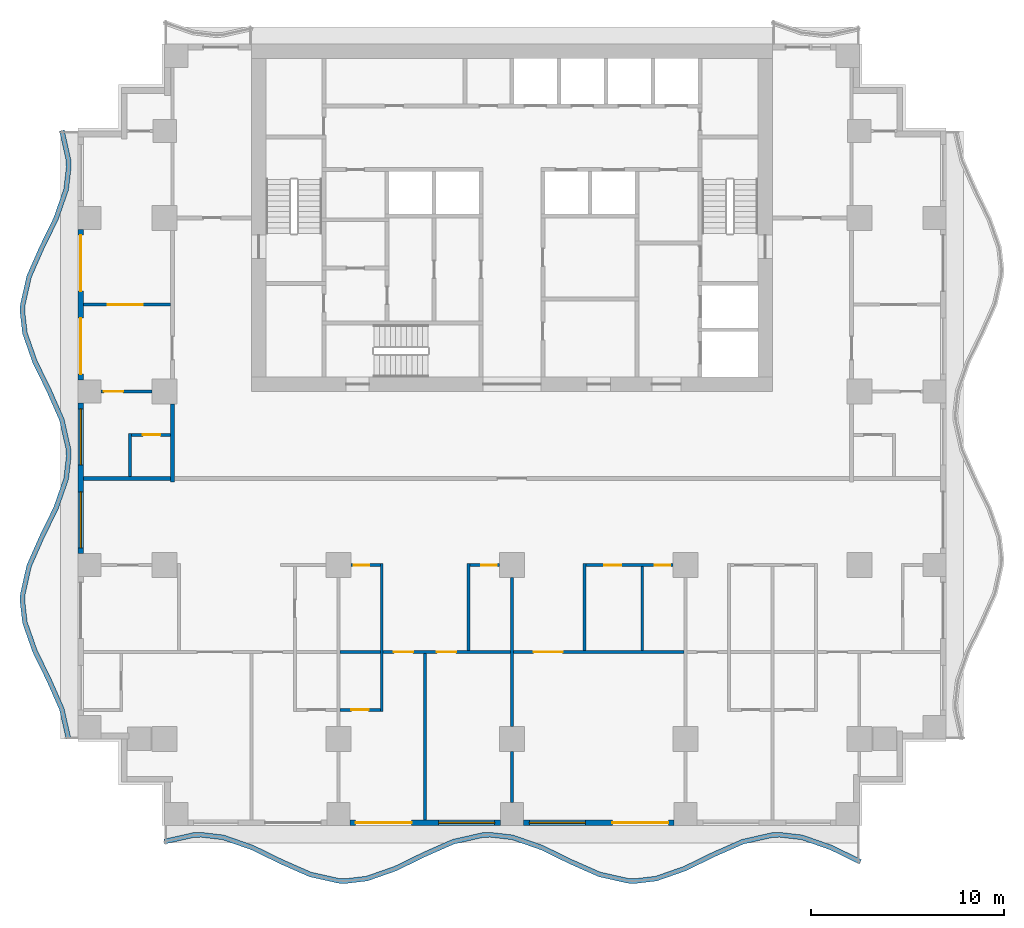
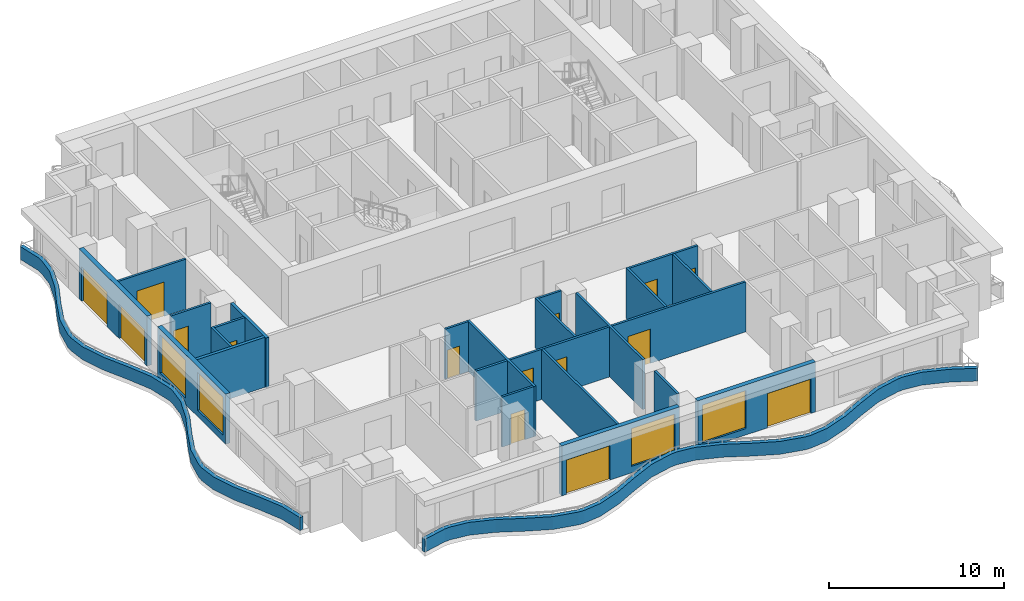
# One storey, part 2 of 10: 26 walls, 15 doors, 4 windows, 19 openings.
"""IFC4 building model written with IfcOpenShell, lengths in metres."""

from ifc_helpers import new_model, si_unit, direction, frame, frame_2d, origin, place, context, subcontext, project, spatial, polyline, rectangle, outline, extrude, material, layer, layer_set, type_object, element, fill, save


model = new_model("IFC4")

# Units and contexts
model_context = context("Model", 3, precision=1e-05, world=origin(), true_north=direction((0.0, 1.0)))
body_context = subcontext(model_context, "Body", "Model", "MODEL_VIEW")
ifc_project = project(units=[si_unit("LENGTHUNIT", "METRE"), si_unit("AREAUNIT", "SQUARE_METRE"), si_unit("VOLUMEUNIT", "CUBIC_METRE"), si_unit("PLANEANGLEUNIT", "RADIAN"), si_unit("MASSUNIT", "GRAM", prefix="KILO")], contexts=[model_context])

# Site, building, storey
site_placement = place(None, origin())
site = spatial("IfcSite", under=ifc_project, at=site_placement, CompositionType="ELEMENT")
building_placement = place(site_placement, origin())
building = spatial("IfcBuilding", under=site, at=building_placement, Name="Orbiselva Terraces", CompositionType="ELEMENT")
storey_placement = place(building_placement, frame((0.0, 0.0, 132.6)))
storey = spatial("IfcBuildingStorey", under=building, at=storey_placement, Name="L33", CompositionType="ELEMENT", Elevation=132.6)

# Walls
ifc_material_1 = material(Name="Concrete C40/50", Category="concrete")
ifc_layer_1 = layer(ifc_material_1, 0.25)
ifc_layer_set_1 = layer_set([ifc_layer_1], Name="Concrete C40/50")
wall_type_1 = type_object("IfcWallType", Name="ENV-PLANTER-250x900", PredefinedType="USERDEFINED", material=ifc_layer_set_1)
wall_1_placement = place(storey_placement, origin())
element("IfcWall", 1, at=wall_1_placement, inside=storey, type_object=wall_type_1, Name="Balcony planter L33 S", ObjectType="PLANTER", PredefinedType="USERDEFINED", context=body_context, shape_type="SweptSolid", body=[
    extrude(outline(polyline([(-18.0, -18.951472), (-16.5, -18.614774), (-16.125, -18.6), (-15.0, -18.730792), (-13.5, -19.255211), (-12.0, -19.987721), (-10.5, -20.648528), (-9.0, -20.985226), (-8.625, -21.0), (-7.5, -20.869208), (-6.0, -20.344789), (-4.5, -19.612279), (-3.0, -18.951472), (-1.5, -18.614774), (-1.125, -18.6), (0.0, -18.730792), (1.5, -19.255211), (3.0, -19.987721), (4.5, -20.648528), (6.0, -20.985226), (6.375, -21.0), (7.5, -20.869208), (9.0, -20.344789), (10.5, -19.612279), (12.0, -18.951472), (13.5, -18.614774), (13.875, -18.6), (15.0, -18.730792), (16.5, -19.255211), (18.0, -19.987721), (18.109703, -19.763076), (16.59644, -19.024089), (15.056371, -18.485662), (13.884572, -18.349429), (13.467435, -18.365863), (11.921492, -18.712874), (10.394714, -19.385477), (8.90356, -20.113667), (7.443629, -20.624078), (6.365428, -20.749429), (6.032565, -20.736315), (4.578508, -20.40993), (3.105286, -19.760919), (1.59644, -19.024089), (0.056371, -18.485662), (-1.115428, -18.349429), (-1.532565, -18.365863), (-3.078508, -18.712874), (-4.605286, -19.385477), (-6.09644, -20.113667), (-7.556371, -20.624078), (-8.634572, -20.749429), (-8.967435, -20.736315), (-10.421492, -20.40993), (-11.894714, -19.760919), (-13.40356, -19.024089), (-14.943629, -18.485662), (-16.115428, -18.349429), (-16.532565, -18.365863), (-18.054754, -18.707542), (-18.0, -18.951472)])), origin(), (0.0, 0.0, 1.0), 0.9),
])
wall_2_placement = place(storey_placement, origin())
element("IfcWall", 2, at=wall_2_placement, inside=storey, type_object=wall_type_1, Name="Balcony planter L33 W", ObjectType="PLANTER", PredefinedType="USERDEFINED", context=body_context, shape_type="SweptSolid", body=[
    extrude(outline(polyline([(-23.451472, 18.0), (-23.114774, 16.5), (-23.1, 16.125), (-23.230792, 15.0), (-23.755211, 13.5), (-24.487721, 12.0), (-25.148528, 10.5), (-25.485226, 9.0), (-25.5, 8.625), (-25.369208, 7.5), (-24.844789, 6.0), (-24.112279, 4.5), (-23.451472, 3.0), (-23.114774, 1.5), (-23.1, 1.125), (-23.230792, 0.0), (-23.755211, -1.5), (-24.487721, -3.0), (-25.148528, -4.5), (-25.485226, -6.0), (-25.5, -6.375), (-25.369208, -7.5), (-24.844789, -9.0), (-24.112279, -10.5), (-23.451472, -12.0), (-23.114774, -13.5), (-22.870844, -13.445246), (-23.212874, -11.921492), (-23.885477, -10.394714), (-24.613667, -8.90356), (-25.124078, -7.443629), (-25.249429, -6.365428), (-25.236315, -6.032565), (-24.90993, -4.578508), (-24.260919, -3.105286), (-23.524089, -1.59644), (-22.985662, -0.056371), (-22.849429, 1.115428), (-22.865863, 1.532565), (-23.212874, 3.078508), (-23.885477, 4.605286), (-24.613667, 6.09644), (-25.124078, 7.556371), (-25.249429, 8.634572), (-25.236315, 8.967435), (-24.90993, 10.421492), (-24.260919, 11.894714), (-23.524089, 13.40356), (-22.985662, 14.943629), (-22.849429, 16.115428), (-22.865863, 16.532565), (-23.207542, 18.054754), (-23.451472, 18.0)])), origin(), (0.0, 0.0, 1.0), 0.9),
])

# Wall, openings, door, window
ifc_material_2 = material(Name="Terracotta cladding on masonry backing", Category="masonry")
ifc_layer_2 = layer(ifc_material_2, 0.3)
ifc_layer_set_2 = layer_set([ifc_layer_2], Name="Terracotta cladding on masonry backing")
wall_type_2 = type_object("IfcWallType", Name="ENV-WALL-TERRACOTTA-300", PredefinedType="SOLIDWALL", material=ifc_layer_set_2)
wall_3_placement = place(storey_placement, frame((-0.6, -17.85, 0.0), z_axis=(0.0, 0.0, 1.0), x_axis=(-1.0, 0.0, 0.0)))
wall_3 = element("IfcWall", 3, at=wall_3_placement, inside=storey, type_object=wall_type_2, Name="Facade wall L33 S", PredefinedType="SOLIDWALL", context=body_context, shape_type="SweptSolid", body=[
    extrude(rectangle(XDim=7.8, YDim=0.3, at=frame_2d((3.9, 0.0))), origin(), (0.0, 0.0, 1.0), 3.5),
])
opening_1_placement = place(wall_3_placement, frame((4.6, 0.0, 0.0)))
opening_1 = element("IfcOpeningElement", 4, at=opening_1_placement, cuts=wall_3, Name="Opening Z3-A-E01", PredefinedType="OPENING", context=body_context, shape_type="SweptSolid", body=[
    extrude(rectangle(XDim=2.9, YDim=2.4, at=frame_2d((1.45, 1.2))), frame((0.0, 0.16, 0.0), z_axis=(0.0, -1.0, 0.0), x_axis=(1.0, 0.0, 0.0)), (0.0, 0.0, 1.0), 0.32),
])
opening_2_placement = place(wall_3_placement, frame((0.3, 0.0, 0.45)))
opening_2 = element("IfcOpeningElement", 5, at=opening_2_placement, cuts=wall_3, Name="Opening WN8", PredefinedType="OPENING", context=body_context, shape_type="SweptSolid", body=[
    extrude(rectangle(XDim=2.9, YDim=2.65, at=frame_2d((1.45, 1.325))), frame((0.0, 0.16, 0.0), z_axis=(0.0, -1.0, 0.0), x_axis=(1.0, 0.0, 0.0)), (0.0, 0.0, 1.0), 0.32),
])
ifc_material_3 = material(Name="Clear low-e glazing in aluminium frame", Category="aluminium")
door_type_1 = type_object("IfcDoorType", Name="BALCONY DOOR 2900 X 2400", OperationType="DOUBLE_DOOR_SLIDING", PredefinedType="DOOR", material=ifc_material_3)
door_1_placement = place(opening_1_placement, origin())
door_1 = element("IfcDoor", 6, at=door_1_placement, inside=storey, type_object=door_type_1, Name="Z3-A-E01", OperationType="SINGLE_SWING_LEFT", OverallHeight=2.4, OverallWidth=2.9, PredefinedType="DOOR", context=body_context, shape_type="SweptSolid", body=[
    extrude(rectangle(XDim=2.9, YDim=2.4, at=frame_2d((1.45, 1.2))), frame((0.0, 0.025, 0.0), z_axis=(0.0, -1.0, 0.0), x_axis=(1.0, 0.0, 0.0)), (0.0, 0.0, 1.0), 0.05),
])
fill(opening_1, door_1)
window_type = type_object("IfcWindowType", Name="WINDOW 2900 X 2650 S450", PartitioningType="TRIPLE_PANEL_VERTICAL", PredefinedType="WINDOW", material=ifc_material_3)
window_1_placement = place(opening_2_placement, origin())
window_1 = element("IfcWindow", 7, at=window_1_placement, inside=storey, type_object=window_type, Name="Window L33 S", OverallHeight=2.65, OverallWidth=2.9, PartitioningType="SINGLE_PANEL", PredefinedType="WINDOW", context=body_context, shape_type="SweptSolid", body=[
    extrude(rectangle(XDim=2.9, YDim=2.65, at=frame_2d((1.45, 1.325))), frame((0.0, 0.03, 0.0), z_axis=(0.0, -1.0, 0.0), x_axis=(1.0, 0.0, 0.0)), (0.0, 0.0, 1.0), 0.06),
])
fill(opening_2, window_1)

wall_4_placement = place(storey_placement, frame((8.4, -17.85, 0.0), z_axis=(0.0, 0.0, 1.0), x_axis=(-1.0, 0.0, 0.0)))
wall_4 = element("IfcWall", 8, at=wall_4_placement, inside=storey, type_object=wall_type_2, Name="Facade wall L33 S", PredefinedType="SOLIDWALL", context=body_context, shape_type="SweptSolid", body=[
    extrude(rectangle(XDim=7.8, YDim=0.3, at=frame_2d((3.9, 0.0))), origin(), (0.0, 0.0, 1.0), 3.5),
])
opening_3_placement = place(wall_4_placement, frame((4.6, 0.0, 0.45)))
opening_3 = element("IfcOpeningElement", 9, at=opening_3_placement, cuts=wall_4, Name="Opening WN8", PredefinedType="OPENING", context=body_context, shape_type="SweptSolid", body=[
    extrude(rectangle(XDim=2.9, YDim=2.65, at=frame_2d((1.45, 1.325))), frame((0.0, 0.16, 0.0), z_axis=(0.0, -1.0, 0.0), x_axis=(1.0, 0.0, 0.0)), (0.0, 0.0, 1.0), 0.32),
])
opening_4_placement = place(wall_4_placement, frame((0.3, 0.0, 0.0)))
opening_4 = element("IfcOpeningElement", 10, at=opening_4_placement, cuts=wall_4, Name="Opening Z3-A-E12", PredefinedType="OPENING", context=body_context, shape_type="SweptSolid", body=[
    extrude(rectangle(XDim=2.9, YDim=2.4, at=frame_2d((1.45, 1.2))), frame((0.0, 0.16, 0.0), z_axis=(0.0, -1.0, 0.0), x_axis=(1.0, 0.0, 0.0)), (0.0, 0.0, 1.0), 0.32),
])
door_2_placement = place(opening_4_placement, origin())
door_2 = element("IfcDoor", 11, at=door_2_placement, inside=storey, type_object=door_type_1, Name="Z3-A-E12", OperationType="SINGLE_SWING_LEFT", OverallHeight=2.4, OverallWidth=2.9, PredefinedType="DOOR", context=body_context, shape_type="SweptSolid", body=[
    extrude(rectangle(XDim=2.9, YDim=2.4, at=frame_2d((1.45, 1.2))), frame((0.0, 0.025, 0.0), z_axis=(0.0, -1.0, 0.0), x_axis=(1.0, 0.0, 0.0)), (0.0, 0.0, 1.0), 0.05),
])
fill(opening_4, door_2)
window_2_placement = place(opening_3_placement, origin())
window_2 = element("IfcWindow", 12, at=window_2_placement, inside=storey, type_object=window_type, Name="Window L33 S", OverallHeight=2.65, OverallWidth=2.9, PartitioningType="SINGLE_PANEL", PredefinedType="WINDOW", context=body_context, shape_type="SweptSolid", body=[
    extrude(rectangle(XDim=2.9, YDim=2.65, at=frame_2d((1.45, 1.325))), frame((0.0, 0.03, 0.0), z_axis=(0.0, -1.0, 0.0), x_axis=(1.0, 0.0, 0.0)), (0.0, 0.0, 1.0), 0.06),
])
fill(opening_3, window_2)

# Wall, openings, doors
wall_5_placement = place(storey_placement, frame((-22.35, 5.1, 0.0), z_axis=(0.0, 0.0, 1.0), x_axis=(0.0, 1.0, 0.0)))
wall_5 = element("IfcWall", 13, at=wall_5_placement, inside=storey, type_object=wall_type_2, Name="Facade wall L33 W", PredefinedType="SOLIDWALL", context=body_context, shape_type="SweptSolid", body=[
    extrude(rectangle(XDim=7.8, YDim=0.3, at=frame_2d((3.9, 0.0))), origin(), (0.0, 0.0, 1.0), 3.5),
])
opening_5_placement = place(wall_5_placement, frame((4.6, 0.0, 0.0)))
opening_5 = element("IfcOpeningElement", 14, at=opening_5_placement, cuts=wall_5, Name="Opening Z3-A-E20", PredefinedType="OPENING", context=body_context, shape_type="SweptSolid", body=[
    extrude(rectangle(XDim=2.9, YDim=2.4, at=frame_2d((1.45, 1.2))), frame((0.0, 0.16, 0.0), z_axis=(0.0, -1.0, 0.0), x_axis=(1.0, 0.0, 0.0)), (0.0, 0.0, 1.0), 0.32),
])
opening_6_placement = place(wall_5_placement, frame((0.3, 0.0, 0.0)))
opening_6 = element("IfcOpeningElement", 15, at=opening_6_placement, cuts=wall_5, Name="Opening Z3-A-E09", PredefinedType="OPENING", context=body_context, shape_type="SweptSolid", body=[
    extrude(rectangle(XDim=2.9, YDim=2.4, at=frame_2d((1.45, 1.2))), frame((0.0, 0.16, 0.0), z_axis=(0.0, -1.0, 0.0), x_axis=(1.0, 0.0, 0.0)), (0.0, 0.0, 1.0), 0.32),
])
door_3_placement = place(opening_5_placement, origin())
door_3 = element("IfcDoor", 16, at=door_3_placement, inside=storey, type_object=door_type_1, Name="Z3-A-E20", OperationType="SINGLE_SWING_LEFT", OverallHeight=2.4, OverallWidth=2.9, PredefinedType="DOOR", context=body_context, shape_type="SweptSolid", body=[
    extrude(rectangle(XDim=2.9, YDim=2.4, at=frame_2d((1.45, 1.2))), frame((0.0, 0.025, 0.0), z_axis=(0.0, -1.0, 0.0), x_axis=(1.0, 0.0, 0.0)), (0.0, 0.0, 1.0), 0.05),
])
fill(opening_5, door_3)
door_4_placement = place(opening_6_placement, origin())
door_4 = element("IfcDoor", 17, at=door_4_placement, inside=storey, type_object=door_type_1, Name="Z3-A-E09", OperationType="SINGLE_SWING_LEFT", OverallHeight=2.4, OverallWidth=2.9, PredefinedType="DOOR", context=body_context, shape_type="SweptSolid", body=[
    extrude(rectangle(XDim=2.9, YDim=2.4, at=frame_2d((1.45, 1.2))), frame((0.0, 0.025, 0.0), z_axis=(0.0, -1.0, 0.0), x_axis=(1.0, 0.0, 0.0)), (0.0, 0.0, 1.0), 0.05),
])
fill(opening_6, door_4)

# Wall, openings, windows
wall_6_placement = place(storey_placement, frame((-22.35, -3.9, 0.0), z_axis=(0.0, 0.0, 1.0), x_axis=(0.0, 1.0, 0.0)))
wall_6 = element("IfcWall", 18, at=wall_6_placement, inside=storey, type_object=wall_type_2, Name="Facade wall L33 W", PredefinedType="SOLIDWALL", context=body_context, shape_type="SweptSolid", body=[
    extrude(rectangle(XDim=7.8, YDim=0.3, at=frame_2d((3.9, 0.0))), origin(), (0.0, 0.0, 1.0), 3.5),
])
opening_7_placement = place(wall_6_placement, frame((4.6, 0.0, 0.45)))
opening_7 = element("IfcOpeningElement", 19, at=opening_7_placement, cuts=wall_6, Name="Opening WN8", PredefinedType="OPENING", context=body_context, shape_type="SweptSolid", body=[
    extrude(rectangle(XDim=2.9, YDim=2.65, at=frame_2d((1.45, 1.325))), frame((0.0, 0.16, 0.0), z_axis=(0.0, -1.0, 0.0), x_axis=(1.0, 0.0, 0.0)), (0.0, 0.0, 1.0), 0.32),
])
opening_8_placement = place(wall_6_placement, frame((0.3, 0.0, 0.45)))
opening_8 = element("IfcOpeningElement", 20, at=opening_8_placement, cuts=wall_6, Name="Opening WN8", PredefinedType="OPENING", context=body_context, shape_type="SweptSolid", body=[
    extrude(rectangle(XDim=2.9, YDim=2.65, at=frame_2d((1.45, 1.325))), frame((0.0, 0.16, 0.0), z_axis=(0.0, -1.0, 0.0), x_axis=(1.0, 0.0, 0.0)), (0.0, 0.0, 1.0), 0.32),
])
window_3_placement = place(opening_7_placement, origin())
window_3 = element("IfcWindow", 21, at=window_3_placement, inside=storey, type_object=window_type, Name="Window L33 W", OverallHeight=2.65, OverallWidth=2.9, PartitioningType="SINGLE_PANEL", PredefinedType="WINDOW", context=body_context, shape_type="SweptSolid", body=[
    extrude(rectangle(XDim=2.9, YDim=2.65, at=frame_2d((1.45, 1.325))), frame((0.0, 0.03, 0.0), z_axis=(0.0, -1.0, 0.0), x_axis=(1.0, 0.0, 0.0)), (0.0, 0.0, 1.0), 0.06),
])
fill(opening_7, window_3)
window_4_placement = place(opening_8_placement, origin())
window_4 = element("IfcWindow", 22, at=window_4_placement, inside=storey, type_object=window_type, Name="Window L33 W", OverallHeight=2.65, OverallWidth=2.9, PartitioningType="SINGLE_PANEL", PredefinedType="WINDOW", context=body_context, shape_type="SweptSolid", body=[
    extrude(rectangle(XDim=2.9, YDim=2.65, at=frame_2d((1.45, 1.325))), frame((0.0, 0.03, 0.0), z_axis=(0.0, -1.0, 0.0), x_axis=(1.0, 0.0, 0.0)), (0.0, 0.0, 1.0), 0.06),
])
fill(opening_8, window_4)

# Wall
ifc_material_4 = material(Name="Plasterboard on steel stud partition", Category="steel")
ifc_layer_3 = layer(ifc_material_4, 0.2)
ifc_layer_set_3 = layer_set([ifc_layer_3], Name="Plasterboard on steel stud partition")
wall_type_3 = type_object("IfcWallType", Name="UNIT-ENTRANCE-WALL-200", PredefinedType="PARTITIONING", material=ifc_layer_set_3)
wall_7_placement = place(storey_placement, frame((-17.6, -0.2, 0.0), z_axis=(0.0, 0.0, 1.0), x_axis=(0.0, 1.0, 0.0)))
element("IfcWall", 23, at=wall_7_placement, inside=storey, type_object=wall_type_3, Name="PARTITION L33-037", PredefinedType="PARTITIONING", context=body_context, shape_type="SweptSolid", body=[
    extrude(rectangle(XDim=4.05, YDim=0.2, at=frame_2d((2.025, 0.0))), origin(), (0.0, 0.0, 1.0), 3.5),
])

# Wall, opening, door
ifc_layer_4 = layer(ifc_material_4, 0.15)
ifc_layer_set_4 = layer_set([ifc_layer_4], Name="Plasterboard on steel stud partition")
wall_type_4 = type_object("IfcWallType", Name="UNIT-PARTITION-150", PredefinedType="PARTITIONING", material=ifc_layer_set_4)
wall_8_placement = place(storey_placement, frame((-8.925, -12.0, 0.0), z_axis=(0.0, 0.0, 1.0), x_axis=(1.0, 0.0, 0.0)))
wall_8 = element("IfcWall", 24, at=wall_8_placement, inside=storey, type_object=wall_type_4, Name="PARTITION L33-003", PredefinedType="PARTITIONING", context=body_context, shape_type="SweptSolid", body=[
    extrude(rectangle(XDim=2.1, YDim=0.15, at=frame_2d((1.05, 0.0))), origin(), (0.0, 0.0, 1.0), 3.5),
])
opening_9_placement = place(wall_8_placement, frame((0.6, 0.0, 0.0)))
opening_9 = element("IfcOpeningElement", 25, at=opening_9_placement, cuts=wall_8, Name="Opening Z3-A-28", PredefinedType="OPENING", context=body_context, shape_type="SweptSolid", body=[
    extrude(rectangle(XDim=0.9, YDim=2.1, at=frame_2d((0.45, 1.05))), frame((0.0, 0.085, 0.0), z_axis=(0.0, -1.0, 0.0), x_axis=(1.0, 0.0, 0.0)), (0.0, 0.0, 1.0), 0.17),
])
ifc_material_5 = material(Name="Painted timber door leaf", Category="wood")
door_type_2 = type_object("IfcDoorType", Name="BATH DOOR 900", OperationType="NOTDEFINED", PredefinedType="DOOR", material=ifc_material_5)
door_5_placement = place(opening_9_placement, origin())
door_5 = element("IfcDoor", 26, at=door_5_placement, inside=storey, type_object=door_type_2, Name="Z3-A-28", OperationType="SINGLE_SWING_LEFT", OverallHeight=2.1, OverallWidth=0.9, PredefinedType="DOOR", context=body_context, shape_type="SweptSolid", body=[
    extrude(rectangle(XDim=0.9, YDim=2.1, at=frame_2d((0.45, 1.05))), frame((0.0, 0.025, 0.0), z_axis=(0.0, -1.0, 0.0), x_axis=(1.0, 0.0, 0.0)), (0.0, 0.0, 1.0), 0.05),
])
fill(opening_9, door_5)

# Wall
wall_9_placement = place(storey_placement, frame((-8.925, -9.0, 0.0), z_axis=(0.0, 0.0, 1.0), x_axis=(1.0, 0.0, 0.0)))
element("IfcWall", 27, at=wall_9_placement, inside=storey, type_object=wall_type_4, Name="PARTITION L33-008", PredefinedType="PARTITIONING", context=body_context, shape_type="SweptSolid", body=[
    extrude(rectangle(XDim=2.1, YDim=0.15, at=frame_2d((1.05, 0.0))), origin(), (0.0, 0.0, 1.0), 3.5),
])

# Wall, openings, doors
wall_10_placement = place(storey_placement, frame((-0.075, -9.0, 0.0), z_axis=(0.0, 0.0, 1.0), x_axis=(-1.0, 0.0, 0.0)))
wall_10 = element("IfcWall", 28, at=wall_10_placement, inside=storey, type_object=wall_type_4, Name="PARTITION L33-009", PredefinedType="PARTITIONING", context=body_context, shape_type="SweptSolid", body=[
    extrude(rectangle(XDim=6.6, YDim=0.15, at=frame_2d((3.3, 0.0))), origin(), (0.0, 0.0, 1.0), 3.5),
])
opening_10_placement = place(wall_10_placement, frame((5.05, 0.0, 0.0)))
opening_10 = element("IfcOpeningElement", 29, at=opening_10_placement, cuts=wall_10, Name="Opening Z3-A-27", PredefinedType="OPENING", context=body_context, shape_type="SweptSolid", body=[
    extrude(rectangle(XDim=1.0, YDim=2.4, at=frame_2d((0.5, 1.2))), frame((0.0, 0.085, 0.0), z_axis=(0.0, -1.0, 0.0), x_axis=(1.0, 0.0, 0.0)), (0.0, 0.0, 1.0), 0.17),
])
opening_11_placement = place(wall_10_placement, frame((2.825, 0.0, 0.0)))
opening_11 = element("IfcOpeningElement", 30, at=opening_11_placement, cuts=wall_10, Name="Opening Z3-A-29", PredefinedType="OPENING", context=body_context, shape_type="SweptSolid", body=[
    extrude(rectangle(XDim=1.0, YDim=2.4, at=frame_2d((0.5, 1.2))), frame((0.0, 0.085, 0.0), z_axis=(0.0, -1.0, 0.0), x_axis=(1.0, 0.0, 0.0)), (0.0, 0.0, 1.0), 0.17),
])
door_type_3 = type_object("IfcDoorType", Name="ROOM DOOR 1000", OperationType="NOTDEFINED", PredefinedType="DOOR", material=ifc_material_5)
door_6_placement = place(opening_10_placement, origin())
door_6 = element("IfcDoor", 31, at=door_6_placement, inside=storey, type_object=door_type_3, Name="Z3-A-27", OperationType="SINGLE_SWING_RIGHT", OverallHeight=2.4, OverallWidth=1.0, PredefinedType="DOOR", context=body_context, shape_type="SweptSolid", body=[
    extrude(rectangle(XDim=1.0, YDim=2.4, at=frame_2d((0.5, 1.2))), frame((0.0, 0.025, 0.0), z_axis=(0.0, -1.0, 0.0), x_axis=(1.0, 0.0, 0.0)), (0.0, 0.0, 1.0), 0.05),
])
fill(opening_10, door_6)
door_7_placement = place(opening_11_placement, origin())
door_7 = element("IfcDoor", 32, at=door_7_placement, inside=storey, type_object=door_type_3, Name="Z3-A-29", OperationType="SINGLE_SWING_RIGHT", OverallHeight=2.4, OverallWidth=1.0, PredefinedType="DOOR", context=body_context, shape_type="SweptSolid", body=[
    extrude(rectangle(XDim=1.0, YDim=2.4, at=frame_2d((0.5, 1.2))), frame((0.0, 0.025, 0.0), z_axis=(0.0, -1.0, 0.0), x_axis=(1.0, 0.0, 0.0)), (0.0, 0.0, 1.0), 0.05),
])
fill(opening_11, door_7)

# Wall, opening, door
wall_11_placement = place(storey_placement, frame((8.925, -9.0, 0.0), z_axis=(0.0, 0.0, 1.0), x_axis=(-1.0, 0.0, 0.0)))
wall_11 = element("IfcWall", 33, at=wall_11_placement, inside=storey, type_object=wall_type_4, Name="PARTITION L33-010", PredefinedType="PARTITIONING", context=body_context, shape_type="SweptSolid", body=[
    extrude(rectangle(XDim=8.85, YDim=0.15, at=frame_2d((4.425, 0.0))), origin(), (0.0, 0.0, 1.0), 3.5),
])
opening_12_placement = place(wall_11_placement, frame((6.3, 0.0, 0.0)))
opening_12 = element("IfcOpeningElement", 34, at=opening_12_placement, cuts=wall_11, Name="Opening Z3-A-30", PredefinedType="OPENING", context=body_context, shape_type="SweptSolid", body=[
    extrude(rectangle(XDim=1.5, YDim=2.4, at=frame_2d((0.75, 1.2))), frame((0.0, 0.085, 0.0), z_axis=(0.0, -1.0, 0.0), x_axis=(1.0, 0.0, 0.0)), (0.0, 0.0, 1.0), 0.17),
])
door_type_4 = type_object("IfcDoorType", Name="DOUBLE DOOR 1500", OperationType="NOTDEFINED", PredefinedType="DOOR", material=ifc_material_5)
door_8_placement = place(opening_12_placement, origin())
door_8 = element("IfcDoor", 35, at=door_8_placement, inside=storey, type_object=door_type_4, Name="Z3-A-30", OperationType="DOUBLE_DOOR_SINGLE_SWING", OverallHeight=2.4, OverallWidth=1.5, PredefinedType="DOOR", context=body_context, shape_type="SweptSolid", body=[
    extrude(rectangle(XDim=1.5, YDim=2.4, at=frame_2d((0.75, 1.2))), frame((0.0, 0.025, 0.0), z_axis=(0.0, -1.0, 0.0), x_axis=(1.0, 0.0, 0.0)), (0.0, 0.0, 1.0), 0.05),
])
fill(opening_12, door_8)

wall_12_placement = place(storey_placement, frame((-6.825, -4.5, 0.0), z_axis=(0.0, 0.0, 1.0), x_axis=(-1.0, 0.0, 0.0)))
wall_12 = element("IfcWall", 36, at=wall_12_placement, inside=storey, type_object=wall_type_4, Name="PARTITION L33-017", PredefinedType="PARTITIONING", context=body_context, shape_type="SweptSolid", body=[
    extrude(rectangle(XDim=1.525, YDim=0.15, at=frame_2d((0.7625, 0.0))), origin(), (0.0, 0.0, 1.0), 3.5),
])
opening_13_placement = place(wall_12_placement, frame((0.575, 0.0, 0.0)))
opening_13 = element("IfcOpeningElement", 37, at=opening_13_placement, cuts=wall_12, Name="Opening Z3-A-16", PredefinedType="OPENING", context=body_context, shape_type="SweptSolid", body=[
    extrude(rectangle(XDim=0.8, YDim=2.0, at=frame_2d((0.4, 1.0))), frame((0.0, 0.085, 0.0), z_axis=(0.0, -1.0, 0.0), x_axis=(1.0, 0.0, 0.0)), (0.0, 0.0, 1.0), 0.17),
])
door_type_5 = type_object("IfcDoorType", Name="STORE DOOR 800", OperationType="NOTDEFINED", PredefinedType="DOOR", material=ifc_material_5)
door_9_placement = place(opening_13_placement, origin())
door_9 = element("IfcDoor", 38, at=door_9_placement, inside=storey, type_object=door_type_5, Name="Z3-A-16", OperationType="SINGLE_SWING_RIGHT", OverallHeight=2.0, OverallWidth=0.8, PredefinedType="DOOR", context=body_context, shape_type="SweptSolid", body=[
    extrude(rectangle(XDim=0.8, YDim=2.0, at=frame_2d((0.4, 1.0))), frame((0.0, 0.025, 0.0), z_axis=(0.0, -1.0, 0.0), x_axis=(1.0, 0.0, 0.0)), (0.0, 0.0, 1.0), 0.05),
])
fill(opening_13, door_9)

wall_13_placement = place(storey_placement, frame((-0.65, -4.5, 0.0), z_axis=(0.0, 0.0, 1.0), x_axis=(-1.0, 0.0, 0.0)))
wall_13 = element("IfcWall", 39, at=wall_13_placement, inside=storey, type_object=wall_type_4, Name="PARTITION L33-018", PredefinedType="PARTITIONING", context=body_context, shape_type="SweptSolid", body=[
    extrude(rectangle(XDim=1.525, YDim=0.15, at=frame_2d((0.7625, 0.0))), origin(), (0.0, 0.0, 1.0), 3.5),
])
opening_14_placement = place(wall_13_placement, frame((0.15, 0.0, 0.0)))
opening_14 = element("IfcOpeningElement", 40, at=opening_14_placement, cuts=wall_13, Name="Opening Z3-A-17", PredefinedType="OPENING", context=body_context, shape_type="SweptSolid", body=[
    extrude(rectangle(XDim=0.8, YDim=2.0, at=frame_2d((0.4, 1.0))), frame((0.0, 0.085, 0.0), z_axis=(0.0, -1.0, 0.0), x_axis=(1.0, 0.0, 0.0)), (0.0, 0.0, 1.0), 0.17),
])
door_10_placement = place(opening_14_placement, origin())
door_10 = element("IfcDoor", 41, at=door_10_placement, inside=storey, type_object=door_type_5, Name="Z3-A-17", OperationType="SINGLE_SWING_LEFT", OverallHeight=2.0, OverallWidth=0.8, PredefinedType="DOOR", context=body_context, shape_type="SweptSolid", body=[
    extrude(rectangle(XDim=0.8, YDim=2.0, at=frame_2d((0.4, 1.0))), frame((0.0, 0.025, 0.0), z_axis=(0.0, -1.0, 0.0), x_axis=(1.0, 0.0, 0.0)), (0.0, 0.0, 1.0), 0.05),
])
fill(opening_14, door_10)

# Wall, openings, doors
wall_14_placement = place(storey_placement, frame((8.35, -4.5, 0.0), z_axis=(0.0, 0.0, 1.0), x_axis=(-1.0, 0.0, 0.0)))
wall_14 = element("IfcWall", 42, at=wall_14_placement, inside=storey, type_object=wall_type_4, Name="PARTITION L33-019", PredefinedType="PARTITIONING", context=body_context, shape_type="SweptSolid", body=[
    extrude(rectangle(XDim=4.525, YDim=0.15, at=frame_2d((2.2625, 0.0))), origin(), (0.0, 0.0, 1.0), 3.5),
])
opening_15_placement = place(wall_14_placement, frame((2.675, 0.0, 0.0)))
opening_15 = element("IfcOpeningElement", 43, at=opening_15_placement, cuts=wall_14, Name="Opening Z3-A-18", PredefinedType="OPENING", context=body_context, shape_type="SweptSolid", body=[
    extrude(rectangle(XDim=0.9, YDim=2.1, at=frame_2d((0.45, 1.05))), frame((0.0, 0.085, 0.0), z_axis=(0.0, -1.0, 0.0), x_axis=(1.0, 0.0, 0.0)), (0.0, 0.0, 1.0), 0.17),
])
opening_16_placement = place(wall_14_placement, frame((0.15, 0.0, 0.0)))
opening_16 = element("IfcOpeningElement", 44, at=opening_16_placement, cuts=wall_14, Name="Opening Z3-A-19", PredefinedType="OPENING", context=body_context, shape_type="SweptSolid", body=[
    extrude(rectangle(XDim=0.8, YDim=2.0, at=frame_2d((0.4, 1.0))), frame((0.0, 0.085, 0.0), z_axis=(0.0, -1.0, 0.0), x_axis=(1.0, 0.0, 0.0)), (0.0, 0.0, 1.0), 0.17),
])
door_type_6 = type_object("IfcDoorType", Name="SERVICE DOOR 900", OperationType="NOTDEFINED", PredefinedType="DOOR", material=ifc_material_5)
door_11_placement = place(opening_15_placement, origin())
door_11 = element("IfcDoor", 45, at=door_11_placement, inside=storey, type_object=door_type_6, Name="Z3-A-18", OperationType="SINGLE_SWING_RIGHT", OverallHeight=2.1, OverallWidth=0.9, PredefinedType="DOOR", context=body_context, shape_type="SweptSolid", body=[
    extrude(rectangle(XDim=0.9, YDim=2.1, at=frame_2d((0.45, 1.05))), frame((0.0, 0.025, 0.0), z_axis=(0.0, -1.0, 0.0), x_axis=(1.0, 0.0, 0.0)), (0.0, 0.0, 1.0), 0.05),
])
fill(opening_15, door_11)
door_12_placement = place(opening_16_placement, origin())
door_12 = element("IfcDoor", 46, at=door_12_placement, inside=storey, type_object=door_type_5, Name="Z3-A-19", OperationType="SINGLE_SWING_LEFT", OverallHeight=2.0, OverallWidth=0.8, PredefinedType="DOOR", context=body_context, shape_type="SweptSolid", body=[
    extrude(rectangle(XDim=0.8, YDim=2.0, at=frame_2d((0.4, 1.0))), frame((0.0, 0.025, 0.0), z_axis=(0.0, -1.0, 0.0), x_axis=(1.0, 0.0, 0.0)), (0.0, 0.0, 1.0), 0.05),
])
fill(opening_16, door_12)

# Wall, opening, door
wall_15_placement = place(storey_placement, frame((-17.7, 2.25, 0.0), z_axis=(0.0, 0.0, 1.0), x_axis=(-1.0, 0.0, 0.0)))
wall_15 = element("IfcWall", 47, at=wall_15_placement, inside=storey, type_object=wall_type_4, Name="PARTITION L33-025", PredefinedType="PARTITIONING", context=body_context, shape_type="SweptSolid", body=[
    extrude(rectangle(XDim=2.03, YDim=0.15, at=frame_2d((1.015, 0.0))), origin(), (0.0, 0.0, 1.0), 3.5),
])
opening_17_placement = place(wall_15_placement, frame((0.53, 0.0, 0.0)))
opening_17 = element("IfcOpeningElement", 48, at=opening_17_placement, cuts=wall_15, Name="Opening Z3-A-04", PredefinedType="OPENING", context=body_context, shape_type="SweptSolid", body=[
    extrude(rectangle(XDim=0.9, YDim=2.1, at=frame_2d((0.45, 1.05))), frame((0.0, 0.085, 0.0), z_axis=(0.0, -1.0, 0.0), x_axis=(1.0, 0.0, 0.0)), (0.0, 0.0, 1.0), 0.17),
])
door_13_placement = place(opening_17_placement, origin())
door_13 = element("IfcDoor", 49, at=door_13_placement, inside=storey, type_object=door_type_2, Name="Z3-A-04", OperationType="SINGLE_SWING_LEFT", OverallHeight=2.1, OverallWidth=0.9, PredefinedType="DOOR", context=body_context, shape_type="SweptSolid", body=[
    extrude(rectangle(XDim=0.9, YDim=2.1, at=frame_2d((0.45, 1.05))), frame((0.0, 0.025, 0.0), z_axis=(0.0, -1.0, 0.0), x_axis=(1.0, 0.0, 0.0)), (0.0, 0.0, 1.0), 0.05),
])
fill(opening_17, door_13)

wall_16_placement = place(storey_placement, frame((-18.65, 4.5, 0.0), z_axis=(0.0, 0.0, 1.0), x_axis=(-1.0, 0.0, 0.0)))
wall_16 = element("IfcWall", 50, at=wall_16_placement, inside=storey, type_object=wall_type_4, Name="PARTITION L33-027", PredefinedType="PARTITIONING", context=body_context, shape_type="SweptSolid", body=[
    extrude(rectangle(XDim=2.65, YDim=0.15, at=frame_2d((1.325, 0.0))), origin(), (0.0, 0.0, 1.0), 3.5),
])
opening_18_placement = place(wall_16_placement, frame((1.5, 0.0, 0.0)))
opening_18 = element("IfcOpeningElement", 51, at=opening_18_placement, cuts=wall_16, Name="Opening Z3-A-03", PredefinedType="OPENING", context=body_context, shape_type="SweptSolid", body=[
    extrude(rectangle(XDim=1.0, YDim=2.4, at=frame_2d((0.5, 1.2))), frame((0.0, 0.085, 0.0), z_axis=(0.0, -1.0, 0.0), x_axis=(1.0, 0.0, 0.0)), (0.0, 0.0, 1.0), 0.17),
])
door_14_placement = place(opening_18_placement, origin())
door_14 = element("IfcDoor", 52, at=door_14_placement, inside=storey, type_object=door_type_3, Name="Z3-A-03", OperationType="SINGLE_SWING_RIGHT", OverallHeight=2.4, OverallWidth=1.0, PredefinedType="DOOR", context=body_context, shape_type="SweptSolid", body=[
    extrude(rectangle(XDim=1.0, YDim=2.4, at=frame_2d((0.5, 1.2))), frame((0.0, 0.025, 0.0), z_axis=(0.0, -1.0, 0.0), x_axis=(1.0, 0.0, 0.0)), (0.0, 0.0, 1.0), 0.05),
])
fill(opening_18, door_14)

wall_17_placement = place(storey_placement, frame((-22.2, 9.0, 0.0), z_axis=(0.0, 0.0, 1.0), x_axis=(1.0, 0.0, 0.0)))
wall_17 = element("IfcWall", 53, at=wall_17_placement, inside=storey, type_object=wall_type_4, Name="PARTITION L33-029", PredefinedType="PARTITIONING", context=body_context, shape_type="SweptSolid", body=[
    extrude(rectangle(XDim=4.5, YDim=0.15, at=frame_2d((2.25, 0.0))), origin(), (0.0, 0.0, 1.0), 3.5),
])
opening_19_placement = place(wall_17_placement, frame((1.25, 0.0, 0.0)))
opening_19 = element("IfcOpeningElement", 54, at=opening_19_placement, cuts=wall_17, Name="Opening Z3-A-06", PredefinedType="OPENING", context=body_context, shape_type="SweptSolid", body=[
    extrude(rectangle(XDim=1.8, YDim=2.4, at=frame_2d((0.9, 1.2))), frame((0.0, 0.085, 0.0), z_axis=(0.0, -1.0, 0.0), x_axis=(1.0, 0.0, 0.0)), (0.0, 0.0, 1.0), 0.17),
])
door_type_7 = type_object("IfcDoorType", Name="DOUBLE DOOR 1800", OperationType="NOTDEFINED", PredefinedType="DOOR", material=ifc_material_5)
door_15_placement = place(opening_19_placement, origin())
door_15 = element("IfcDoor", 55, at=door_15_placement, inside=storey, type_object=door_type_7, Name="Z3-A-06", OperationType="DOUBLE_DOOR_SINGLE_SWING", OverallHeight=2.4, OverallWidth=1.8, PredefinedType="DOOR", context=body_context, shape_type="SweptSolid", body=[
    extrude(rectangle(XDim=1.8, YDim=2.4, at=frame_2d((0.9, 1.2))), frame((0.0, 0.025, 0.0), z_axis=(0.0, -1.0, 0.0), x_axis=(1.0, 0.0, 0.0)), (0.0, 0.0, 1.0), 0.05),
])
fill(opening_19, door_15)

# Walls
wall_18_placement = place(storey_placement, frame((-19.805, 0.1, 0.0), z_axis=(0.0, 0.0, 1.0), x_axis=(0.0, 1.0, 0.0)))
element("IfcWall", 56, at=wall_18_placement, inside=storey, type_object=wall_type_4, Name="PARTITION L33-036", PredefinedType="PARTITIONING", context=body_context, shape_type="SweptSolid", body=[
    extrude(rectangle(XDim=2.225, YDim=0.15, at=frame_2d((1.1125, 0.0))), origin(), (0.0, 0.0, 1.0), 3.5),
])
wall_19_placement = place(storey_placement, frame((-6.75, -12.075, 0.0), z_axis=(0.0, 0.0, 1.0), x_axis=(0.0, 1.0, 0.0)))
element("IfcWall", 57, at=wall_19_placement, inside=storey, type_object=wall_type_4, Name="PARTITION L33-046", PredefinedType="PARTITIONING", context=body_context, shape_type="SweptSolid", body=[
    extrude(rectangle(XDim=7.65, YDim=0.15, at=frame_2d((3.825, 0.0))), origin(), (0.0, 0.0, 1.0), 3.5),
])
wall_20_placement = place(storey_placement, frame((-4.5, -17.7, 0.0), z_axis=(0.0, 0.0, 1.0), x_axis=(0.0, 1.0, 0.0)))
element("IfcWall", 58, at=wall_20_placement, inside=storey, type_object=wall_type_4, Name="PARTITION L33-047", PredefinedType="PARTITIONING", context=body_context, shape_type="SweptSolid", body=[
    extrude(rectangle(XDim=8.625, YDim=0.15, at=frame_2d((4.3125, 0.0))), origin(), (0.0, 0.0, 1.0), 3.5),
])
wall_21_placement = place(storey_placement, frame((-2.25, -8.925, 0.0), z_axis=(0.0, 0.0, 1.0), x_axis=(0.0, 1.0, 0.0)))
element("IfcWall", 59, at=wall_21_placement, inside=storey, type_object=wall_type_4, Name="PARTITION L33-048", PredefinedType="PARTITIONING", context=body_context, shape_type="SweptSolid", body=[
    extrude(rectangle(XDim=4.5, YDim=0.15, at=frame_2d((2.25, 0.0))), origin(), (0.0, 0.0, 1.0), 3.5),
])
wall_22_placement = place(storey_placement, frame((0.0, -16.8, 0.0), z_axis=(0.0, 0.0, 1.0), x_axis=(0.0, 1.0, 0.0)))
element("IfcWall", 60, at=wall_22_placement, inside=storey, type_object=wall_type_4, Name="PARTITION L33-049", PredefinedType="PARTITIONING", context=body_context, shape_type="SweptSolid", body=[
    extrude(rectangle(XDim=2.65, YDim=0.15, at=frame_2d((1.325, 0.0))), origin(), (0.0, 0.0, 1.0), 3.5),
])
wall_23_placement = place(storey_placement, frame((0.0, -12.85, 0.0), z_axis=(0.0, 0.0, 1.0), x_axis=(0.0, 1.0, 0.0)))
element("IfcWall", 61, at=wall_23_placement, inside=storey, type_object=wall_type_4, Name="PARTITION L33-050", PredefinedType="PARTITIONING", context=body_context, shape_type="SweptSolid", body=[
    extrude(rectangle(XDim=7.7, YDim=0.15, at=frame_2d((3.85, 0.0))), origin(), (0.0, 0.0, 1.0), 3.5),
])
wall_24_placement = place(storey_placement, frame((3.75, -8.925, 0.0), z_axis=(0.0, 0.0, 1.0), x_axis=(0.0, 1.0, 0.0)))
element("IfcWall", 62, at=wall_24_placement, inside=storey, type_object=wall_type_4, Name="PARTITION L33-051", PredefinedType="PARTITIONING", context=body_context, shape_type="SweptSolid", body=[
    extrude(rectangle(XDim=4.5, YDim=0.15, at=frame_2d((2.25, 0.0))), origin(), (0.0, 0.0, 1.0), 3.5),
])
wall_25_placement = place(storey_placement, frame((6.75, -8.925, 0.0), z_axis=(0.0, 0.0, 1.0), x_axis=(0.0, 1.0, 0.0)))
element("IfcWall", 63, at=wall_25_placement, inside=storey, type_object=wall_type_4, Name="PARTITION L33-052", PredefinedType="PARTITIONING", context=body_context, shape_type="SweptSolid", body=[
    extrude(rectangle(XDim=4.35, YDim=0.15, at=frame_2d((2.175, 0.0))), origin(), (0.0, 0.0, 1.0), 3.5),
])
ifc_layer_5 = layer(ifc_material_4, 0.2)
ifc_layer_set_5 = layer_set([ifc_layer_5], Name="Plasterboard on steel stud partition")
wall_type_5 = type_object("IfcWallType", Name="UNIT-PARTY-WALL-200", PredefinedType="PARTITIONING", material=ifc_layer_set_5)
wall_26_placement = place(storey_placement, frame((-22.2, 0.0, 0.0), z_axis=(0.0, 0.0, 1.0), x_axis=(1.0, 0.0, 0.0)))
element("IfcWall", 64, at=wall_26_placement, inside=storey, type_object=wall_type_5, Name="PARTITION L33-023", PredefinedType="PARTITIONING", context=body_context, shape_type="SweptSolid", body=[
    extrude(rectangle(XDim=4.5, YDim=0.2, at=frame_2d((2.25, 0.0))), origin(), (0.0, 0.0, 1.0), 3.5),
])

save(model, "model.ifc")
